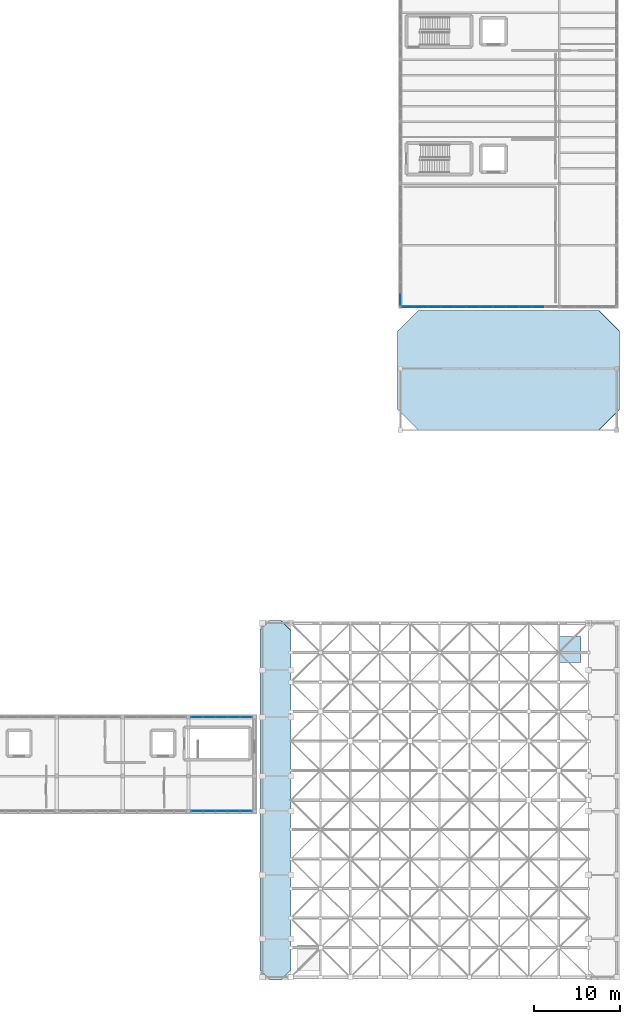
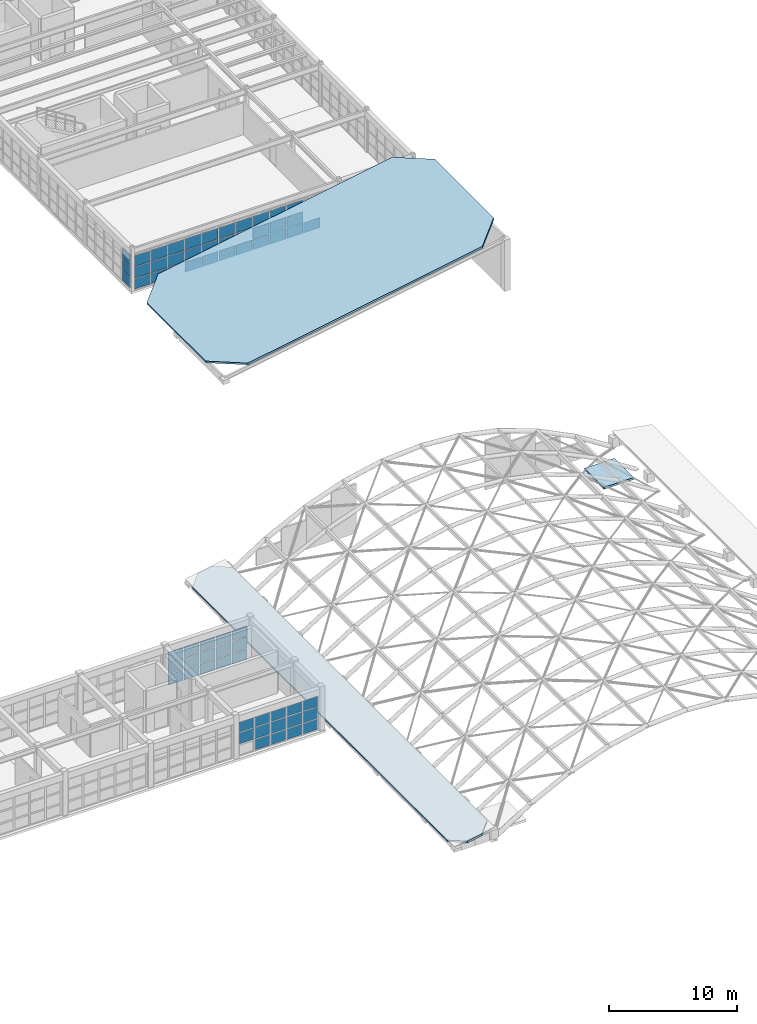
# One storey, part 38 of 52: 63 plates, 3 slabs, 4 elements without a shape of their own.
"""IFC4 building model written with IfcOpenShell, lengths in metres."""

from ifc_helpers import new_model, si_unit, direction, frame, origin, origin_2d, place, context, subcontext, project, spatial, polyline, rectangle, outline, extrude, material, layer, layer_set, type_object, element, aggregate, save


model = new_model("IFC4")

# Units and contexts
model_context = context("Model", 3, precision=1e-05, world=origin(), true_north=direction((0.0, 1.0)))
body_context = subcontext(model_context, "Body", "Model", "MODEL_VIEW")
ifc_project = project(units=[si_unit("LENGTHUNIT", "METRE"), si_unit("AREAUNIT", "SQUARE_METRE"), si_unit("VOLUMEUNIT", "CUBIC_METRE"), si_unit("PLANEANGLEUNIT", "RADIAN"), si_unit("MASSUNIT", "GRAM", prefix="KILO")], contexts=[model_context])

# Site, building, storey
site_placement = place(None, origin())
site = spatial("IfcSite", under=ifc_project, at=site_placement, CompositionType="ELEMENT")
building_placement = place(site_placement, origin())
building = spatial("IfcBuilding", under=site, at=building_placement, Name="Candilejo Ridge Gondola Terminal", CompositionType="ELEMENT")
storey_placement = place(building_placement, frame((0.0, 0.0, 18.60009765625)))
storey = spatial("IfcBuildingStorey", under=building, at=storey_placement, Name="L04", CompositionType="ELEMENT", Elevation=18.60009765625)

# Curtain wall, plates
ifc_material_1 = material(Name="Anodised aluminium AA 6063-T6", Category="aluminium")
ifc_layer_1 = layer(ifc_material_1, 0.169921875)
ifc_layer_set_1 = layer_set([ifc_layer_1], Name="ARC-CW-GALLERY-3200-720X329")
curtain_wall_type_1 = type_object("IfcCurtainWallType", Name="ARC-CW-GALLERY-3200-720X329", PredefinedType="NOTDEFINED", material=ifc_layer_set_1)
curtain_wall_1_placement = place(storey_placement, origin())
curtain_wall_1 = element("IfcCurtainWall", 1, at=curtain_wall_1_placement, inside=storey, type_object=curtain_wall_type_1, Name="Curtain wall V3 L04-108", PredefinedType="NOTDEFINED")
ifc_material_2 = material(Name="Low-E laminated double glazing 6+12A+6+1.52PVB+6 mm", Category="glass")
ifc_layer_2 = layer(ifc_material_2, 0.028076171875)
ifc_layer_set_2 = layer_set([ifc_layer_2], Name="ARC-CW-GLAZ-PANEL")
plate_type = type_object("IfcPlateType", Name="ARC-CW-GLAZ-PANEL", PredefinedType="CURTAIN_PANEL", material=ifc_layer_set_2)
plate_1_placement = place(storey_placement, frame((126.23876953125, 36.699951171875, 0.07470703125), z_axis=(0.0, 0.0, 1.0), x_axis=(1.0, 0.0, 0.0)))
plate_1 = element("IfcPlate", 2, at=plate_1_placement, type_object=plate_type, Name="CW-72X32 panel 1.1", PredefinedType="CURTAIN_PANEL", context=body_context, shape_type="SweptSolid", body=[
    extrude(rectangle(XDim=1.327392578125, YDim=0.028076171875, at=origin_2d()), origin(), (0.0, 0.0, 1.0), 0.987548828125),
])
plate_2_placement = place(storey_placement, frame((126.23876953125, 36.699951171875, 1.13720703125), z_axis=(0.0, 0.0, 1.0), x_axis=(1.0, 0.0, 0.0)))
plate_2 = element("IfcPlate", 3, at=plate_2_placement, type_object=plate_type, Name="CW-72X32 panel 1.2", PredefinedType="CURTAIN_PANEL", context=body_context, shape_type="SweptSolid", body=[
    extrude(rectangle(XDim=1.327392578125, YDim=0.028076171875, at=origin_2d()), origin(), (0.0, 0.0, 1.0), 1.074951171875),
])
plate_3_placement = place(storey_placement, frame((126.23876953125, 36.699951171875, 2.28759765625), z_axis=(0.0, 0.0, 1.0), x_axis=(1.0, 0.0, 0.0)))
plate_3 = element("IfcPlate", 4, at=plate_3_placement, type_object=plate_type, Name="CW-72X32 panel 1.3", PredefinedType="CURTAIN_PANEL", context=body_context, shape_type="SweptSolid", body=[
    extrude(rectangle(XDim=1.327392578125, YDim=0.028076171875, at=origin_2d()), origin(), (0.0, 0.0, 1.0), 0.927490234375),
])
plate_4_placement = place(storey_placement, frame((127.659912109375, 36.699951171875, 0.07470703125), z_axis=(0.0, 0.0, 1.0), x_axis=(1.0, 0.0, 0.0)))
plate_4 = element("IfcPlate", 5, at=plate_4_placement, type_object=plate_type, Name="CW-72X32 panel 2.1", PredefinedType="CURTAIN_PANEL", context=body_context, shape_type="SweptSolid", body=[
    extrude(rectangle(XDim=1.364990234375, YDim=0.028076171875, at=origin_2d()), origin(), (0.0, 0.0, 1.0), 0.987548828125),
])
plate_5_placement = place(storey_placement, frame((127.659912109375, 36.699951171875, 1.13720703125), z_axis=(0.0, 0.0, 1.0), x_axis=(1.0, 0.0, 0.0)))
plate_5 = element("IfcPlate", 6, at=plate_5_placement, type_object=plate_type, Name="CW-72X32 panel 2.2", PredefinedType="CURTAIN_PANEL", context=body_context, shape_type="SweptSolid", body=[
    extrude(rectangle(XDim=1.364990234375, YDim=0.028076171875, at=origin_2d()), origin(), (0.0, 0.0, 1.0), 1.074951171875),
])
plate_6_placement = place(storey_placement, frame((127.659912109375, 36.699951171875, 2.28759765625), z_axis=(0.0, 0.0, 1.0), x_axis=(1.0, 0.0, 0.0)))
plate_6 = element("IfcPlate", 7, at=plate_6_placement, type_object=plate_type, Name="CW-72X32 panel 2.3", PredefinedType="CURTAIN_PANEL", context=body_context, shape_type="SweptSolid", body=[
    extrude(rectangle(XDim=1.364990234375, YDim=0.028076171875, at=origin_2d()), origin(), (0.0, 0.0, 1.0), 0.927490234375),
])
plate_7_placement = place(storey_placement, frame((129.10009765625, 36.699951171875, 0.07470703125), z_axis=(0.0, 0.0, 1.0), x_axis=(1.0, 0.0, 0.0)))
plate_7 = element("IfcPlate", 8, at=plate_7_placement, type_object=plate_type, Name="CW-72X32 panel 3.1", PredefinedType="CURTAIN_PANEL", context=body_context, shape_type="SweptSolid", body=[
    extrude(rectangle(XDim=1.364990234375, YDim=0.028076171875, at=origin_2d()), origin(), (0.0, 0.0, 1.0), 0.987548828125),
])
plate_8_placement = place(storey_placement, frame((129.10009765625, 36.699951171875, 1.13720703125), z_axis=(0.0, 0.0, 1.0), x_axis=(1.0, 0.0, 0.0)))
plate_8 = element("IfcPlate", 9, at=plate_8_placement, type_object=plate_type, Name="CW-72X32 panel 3.2", PredefinedType="CURTAIN_PANEL", context=body_context, shape_type="SweptSolid", body=[
    extrude(rectangle(XDim=1.364990234375, YDim=0.028076171875, at=origin_2d()), origin(), (0.0, 0.0, 1.0), 1.074951171875),
])
plate_9_placement = place(storey_placement, frame((129.10009765625, 36.699951171875, 2.28759765625), z_axis=(0.0, 0.0, 1.0), x_axis=(1.0, 0.0, 0.0)))
plate_9 = element("IfcPlate", 10, at=plate_9_placement, type_object=plate_type, Name="CW-72X32 panel 3.3", PredefinedType="CURTAIN_PANEL", context=body_context, shape_type="SweptSolid", body=[
    extrude(rectangle(XDim=1.364990234375, YDim=0.028076171875, at=origin_2d()), origin(), (0.0, 0.0, 1.0), 0.927490234375),
])
plate_10_placement = place(storey_placement, frame((130.5400390625, 36.699951171875, 0.07470703125), z_axis=(0.0, 0.0, 1.0), x_axis=(1.0, 0.0, 0.0)))
plate_10 = element("IfcPlate", 11, at=plate_10_placement, type_object=plate_type, Name="CW-72X32 panel 4.1", PredefinedType="CURTAIN_PANEL", context=body_context, shape_type="SweptSolid", body=[
    extrude(rectangle(XDim=1.364990234375, YDim=0.028076171875, at=origin_2d()), origin(), (0.0, 0.0, 1.0), 0.987548828125),
])
plate_11_placement = place(storey_placement, frame((130.5400390625, 36.699951171875, 1.13720703125), z_axis=(0.0, 0.0, 1.0), x_axis=(1.0, 0.0, 0.0)))
plate_11 = element("IfcPlate", 12, at=plate_11_placement, type_object=plate_type, Name="CW-72X32 panel 4.2", PredefinedType="CURTAIN_PANEL", context=body_context, shape_type="SweptSolid", body=[
    extrude(rectangle(XDim=1.364990234375, YDim=0.028076171875, at=origin_2d()), origin(), (0.0, 0.0, 1.0), 1.074951171875),
])
plate_12_placement = place(storey_placement, frame((130.5400390625, 36.699951171875, 2.28759765625), z_axis=(0.0, 0.0, 1.0), x_axis=(1.0, 0.0, 0.0)))
plate_12 = element("IfcPlate", 13, at=plate_12_placement, type_object=plate_type, Name="CW-72X32 panel 4.3", PredefinedType="CURTAIN_PANEL", context=body_context, shape_type="SweptSolid", body=[
    extrude(rectangle(XDim=1.364990234375, YDim=0.028076171875, at=origin_2d()), origin(), (0.0, 0.0, 1.0), 0.927490234375),
])
plate_13_placement = place(storey_placement, frame((131.961181640625, 36.699951171875, 0.07470703125), z_axis=(0.0, 0.0, 1.0), x_axis=(1.0, 0.0, 0.0)))
plate_13 = element("IfcPlate", 14, at=plate_13_placement, type_object=plate_type, Name="CW-72X32 panel 5.1", PredefinedType="CURTAIN_PANEL", context=body_context, shape_type="SweptSolid", body=[
    extrude(rectangle(XDim=1.327392578125, YDim=0.028076171875, at=origin_2d()), origin(), (0.0, 0.0, 1.0), 0.987548828125),
])
plate_14_placement = place(storey_placement, frame((131.961181640625, 36.699951171875, 1.13720703125), z_axis=(0.0, 0.0, 1.0), x_axis=(1.0, 0.0, 0.0)))
plate_14 = element("IfcPlate", 15, at=plate_14_placement, type_object=plate_type, Name="CW-72X32 panel 5.2", PredefinedType="CURTAIN_PANEL", context=body_context, shape_type="SweptSolid", body=[
    extrude(rectangle(XDim=1.327392578125, YDim=0.028076171875, at=origin_2d()), origin(), (0.0, 0.0, 1.0), 1.074951171875),
])
plate_15_placement = place(storey_placement, frame((131.961181640625, 36.699951171875, 2.28759765625), z_axis=(0.0, 0.0, 1.0), x_axis=(1.0, 0.0, 0.0)))
plate_15 = element("IfcPlate", 16, at=plate_15_placement, type_object=plate_type, Name="CW-72X32 panel 5.3", PredefinedType="CURTAIN_PANEL", context=body_context, shape_type="SweptSolid", body=[
    extrude(rectangle(XDim=1.327392578125, YDim=0.028076171875, at=origin_2d()), origin(), (0.0, 0.0, 1.0), 0.927490234375),
])
aggregate(curtain_wall_1, [plate_1, plate_2, plate_3, plate_4, plate_5, plate_6, plate_7, plate_8, plate_9, plate_10, plate_11, plate_12, plate_13, plate_14, plate_15])

curtain_wall_2_placement = place(storey_placement, origin())
curtain_wall_2 = element("IfcCurtainWall", 17, at=curtain_wall_2_placement, inside=storey, type_object=curtain_wall_type_1, Name="Curtain wall V3 L04-109", PredefinedType="NOTDEFINED")
plate_16_placement = place(storey_placement, frame((126.23876953125, 25.699951171875, 1.13720703125), z_axis=(0.0, 0.0, 1.0), x_axis=(1.0, 0.0, 0.0)))
plate_16 = element("IfcPlate", 18, at=plate_16_placement, type_object=plate_type, Name="CW-72X32 panel 1.2", PredefinedType="CURTAIN_PANEL", context=body_context, shape_type="SweptSolid", body=[
    extrude(rectangle(XDim=1.327392578125, YDim=0.028076171875, at=origin_2d()), origin(), (0.0, 0.0, 1.0), 1.074951171875),
])
plate_17_placement = place(storey_placement, frame((126.23876953125, 25.699951171875, 2.28759765625), z_axis=(0.0, 0.0, 1.0), x_axis=(1.0, 0.0, 0.0)))
plate_17 = element("IfcPlate", 19, at=plate_17_placement, type_object=plate_type, Name="CW-72X32 panel 1.3", PredefinedType="CURTAIN_PANEL", context=body_context, shape_type="SweptSolid", body=[
    extrude(rectangle(XDim=1.327392578125, YDim=0.028076171875, at=origin_2d()), origin(), (0.0, 0.0, 1.0), 0.927490234375),
])
plate_18_placement = place(storey_placement, frame((127.659912109375, 25.699951171875, 0.07470703125), z_axis=(0.0, 0.0, 1.0), x_axis=(1.0, 0.0, 0.0)))
plate_18 = element("IfcPlate", 20, at=plate_18_placement, type_object=plate_type, Name="CW-72X32 panel 2.1", PredefinedType="CURTAIN_PANEL", context=body_context, shape_type="SweptSolid", body=[
    extrude(rectangle(XDim=1.364990234375, YDim=0.028076171875, at=origin_2d()), origin(), (0.0, 0.0, 1.0), 0.987548828125),
])
plate_19_placement = place(storey_placement, frame((127.659912109375, 25.699951171875, 1.13720703125), z_axis=(0.0, 0.0, 1.0), x_axis=(1.0, 0.0, 0.0)))
plate_19 = element("IfcPlate", 21, at=plate_19_placement, type_object=plate_type, Name="CW-72X32 panel 2.2", PredefinedType="CURTAIN_PANEL", context=body_context, shape_type="SweptSolid", body=[
    extrude(rectangle(XDim=1.364990234375, YDim=0.028076171875, at=origin_2d()), origin(), (0.0, 0.0, 1.0), 1.074951171875),
])
plate_20_placement = place(storey_placement, frame((127.659912109375, 25.699951171875, 2.28759765625), z_axis=(0.0, 0.0, 1.0), x_axis=(1.0, 0.0, 0.0)))
plate_20 = element("IfcPlate", 22, at=plate_20_placement, type_object=plate_type, Name="CW-72X32 panel 2.3", PredefinedType="CURTAIN_PANEL", context=body_context, shape_type="SweptSolid", body=[
    extrude(rectangle(XDim=1.364990234375, YDim=0.028076171875, at=origin_2d()), origin(), (0.0, 0.0, 1.0), 0.927490234375),
])
plate_21_placement = place(storey_placement, frame((129.10009765625, 25.699951171875, 0.07470703125), z_axis=(0.0, 0.0, 1.0), x_axis=(1.0, 0.0, 0.0)))
plate_21 = element("IfcPlate", 23, at=plate_21_placement, type_object=plate_type, Name="CW-72X32 panel 3.1", PredefinedType="CURTAIN_PANEL", context=body_context, shape_type="SweptSolid", body=[
    extrude(rectangle(XDim=1.364990234375, YDim=0.028076171875, at=origin_2d()), origin(), (0.0, 0.0, 1.0), 0.987548828125),
])
plate_22_placement = place(storey_placement, frame((129.10009765625, 25.699951171875, 1.13720703125), z_axis=(0.0, 0.0, 1.0), x_axis=(1.0, 0.0, 0.0)))
plate_22 = element("IfcPlate", 24, at=plate_22_placement, type_object=plate_type, Name="CW-72X32 panel 3.2", PredefinedType="CURTAIN_PANEL", context=body_context, shape_type="SweptSolid", body=[
    extrude(rectangle(XDim=1.364990234375, YDim=0.028076171875, at=origin_2d()), origin(), (0.0, 0.0, 1.0), 1.074951171875),
])
plate_23_placement = place(storey_placement, frame((129.10009765625, 25.699951171875, 2.28759765625), z_axis=(0.0, 0.0, 1.0), x_axis=(1.0, 0.0, 0.0)))
plate_23 = element("IfcPlate", 25, at=plate_23_placement, type_object=plate_type, Name="CW-72X32 panel 3.3", PredefinedType="CURTAIN_PANEL", context=body_context, shape_type="SweptSolid", body=[
    extrude(rectangle(XDim=1.364990234375, YDim=0.028076171875, at=origin_2d()), origin(), (0.0, 0.0, 1.0), 0.927490234375),
])
plate_24_placement = place(storey_placement, frame((130.5400390625, 25.699951171875, 0.07470703125), z_axis=(0.0, 0.0, 1.0), x_axis=(1.0, 0.0, 0.0)))
plate_24 = element("IfcPlate", 26, at=plate_24_placement, type_object=plate_type, Name="CW-72X32 panel 4.1", PredefinedType="CURTAIN_PANEL", context=body_context, shape_type="SweptSolid", body=[
    extrude(rectangle(XDim=1.364990234375, YDim=0.028076171875, at=origin_2d()), origin(), (0.0, 0.0, 1.0), 0.987548828125),
])
plate_25_placement = place(storey_placement, frame((130.5400390625, 25.699951171875, 1.13720703125), z_axis=(0.0, 0.0, 1.0), x_axis=(1.0, 0.0, 0.0)))
plate_25 = element("IfcPlate", 27, at=plate_25_placement, type_object=plate_type, Name="CW-72X32 panel 4.2", PredefinedType="CURTAIN_PANEL", context=body_context, shape_type="SweptSolid", body=[
    extrude(rectangle(XDim=1.364990234375, YDim=0.028076171875, at=origin_2d()), origin(), (0.0, 0.0, 1.0), 1.074951171875),
])
plate_26_placement = place(storey_placement, frame((130.5400390625, 25.699951171875, 2.28759765625), z_axis=(0.0, 0.0, 1.0), x_axis=(1.0, 0.0, 0.0)))
plate_26 = element("IfcPlate", 28, at=plate_26_placement, type_object=plate_type, Name="CW-72X32 panel 4.3", PredefinedType="CURTAIN_PANEL", context=body_context, shape_type="SweptSolid", body=[
    extrude(rectangle(XDim=1.364990234375, YDim=0.028076171875, at=origin_2d()), origin(), (0.0, 0.0, 1.0), 0.927490234375),
])
plate_27_placement = place(storey_placement, frame((131.961181640625, 25.699951171875, 0.07470703125), z_axis=(0.0, 0.0, 1.0), x_axis=(1.0, 0.0, 0.0)))
plate_27 = element("IfcPlate", 29, at=plate_27_placement, type_object=plate_type, Name="CW-72X32 panel 5.1", PredefinedType="CURTAIN_PANEL", context=body_context, shape_type="SweptSolid", body=[
    extrude(rectangle(XDim=1.327392578125, YDim=0.028076171875, at=origin_2d()), origin(), (0.0, 0.0, 1.0), 0.987548828125),
])
plate_28_placement = place(storey_placement, frame((131.961181640625, 25.699951171875, 1.13720703125), z_axis=(0.0, 0.0, 1.0), x_axis=(1.0, 0.0, 0.0)))
plate_28 = element("IfcPlate", 30, at=plate_28_placement, type_object=plate_type, Name="CW-72X32 panel 5.2", PredefinedType="CURTAIN_PANEL", context=body_context, shape_type="SweptSolid", body=[
    extrude(rectangle(XDim=1.327392578125, YDim=0.028076171875, at=origin_2d()), origin(), (0.0, 0.0, 1.0), 1.074951171875),
])
plate_29_placement = place(storey_placement, frame((131.961181640625, 25.699951171875, 2.28759765625), z_axis=(0.0, 0.0, 1.0), x_axis=(1.0, 0.0, 0.0)))
plate_29 = element("IfcPlate", 31, at=plate_29_placement, type_object=plate_type, Name="CW-72X32 panel 5.3", PredefinedType="CURTAIN_PANEL", context=body_context, shape_type="SweptSolid", body=[
    extrude(rectangle(XDim=1.327392578125, YDim=0.028076171875, at=origin_2d()), origin(), (0.0, 0.0, 1.0), 0.927490234375),
])
aggregate(curtain_wall_2, [plate_16, plate_17, plate_18, plate_19, plate_20, plate_21, plate_22, plate_23, plate_24, plate_25, plate_26, plate_27, plate_28, plate_29])

ifc_material_3 = material(Name="Anodised aluminium AA 6063-T6", Category="aluminium")
ifc_layer_3 = layer(ifc_material_3, 0.169921875)
ifc_layer_set_3 = layer_set([ifc_layer_3], Name="ARC-CW-TOWER-3000-690X329")
curtain_wall_type_2 = type_object("IfcCurtainWallType", Name="ARC-CW-TOWER-3000-690X329", PredefinedType="NOTDEFINED", material=ifc_layer_set_3)
curtain_wall_3_placement = place(storey_placement, origin())
curtain_wall_3 = element("IfcCurtainWall", 32, at=curtain_wall_3_placement, inside=storey, type_object=curtain_wall_type_2, Name="Curtain wall V5 L04-212", PredefinedType="NOTDEFINED")
plate_30_placement = place(storey_placement, frame((150.0, 85.50634765625, 0.059814453125), z_axis=(0.0, 0.0, 1.0), x_axis=(0.0, 1.0, 0.0)))
plate_30 = element("IfcPlate", 33, at=plate_30_placement, type_object=plate_type, Name="CW-69X32 panel 1.1", PredefinedType="CURTAIN_PANEL", context=body_context, shape_type="SweptSolid", body=[
    extrude(rectangle(XDim=1.282470703125, YDim=0.028076171875, at=origin_2d()), origin(), (0.0, 0.0, 1.0), 0.9599609375),
])
plate_31_placement = place(storey_placement, frame((150.0, 85.50634765625, 1.079833984375), z_axis=(0.0, 0.0, 1.0), x_axis=(0.0, 1.0, 0.0)))
plate_31 = element("IfcPlate", 34, at=plate_31_placement, type_object=plate_type, Name="CW-69X32 panel 1.2", PredefinedType="CURTAIN_PANEL", context=body_context, shape_type="SweptSolid", body=[
    extrude(rectangle(XDim=1.282470703125, YDim=0.028076171875, at=origin_2d()), origin(), (0.0, 0.0, 1.0), 1.0400390625),
])
plate_32_placement = place(storey_placement, frame((150.0, 85.50634765625, 2.1796875), z_axis=(0.0, 0.0, 1.0), x_axis=(0.0, 1.0, 0.0)))
plate_32 = element("IfcPlate", 35, at=plate_32_placement, type_object=plate_type, Name="CW-69X32 panel 1.3", PredefinedType="CURTAIN_PANEL", context=body_context, shape_type="SweptSolid", body=[
    extrude(rectangle(XDim=1.282470703125, YDim=0.028076171875, at=origin_2d()), origin(), (0.0, 0.0, 1.0), 1.050048828125),
])
aggregate(curtain_wall_3, [plate_30, plate_31, plate_32])

ifc_material_4 = material(Name="Anodised aluminium AA 6063-T6", Category="aluminium")
ifc_layer_4 = layer(ifc_material_4, 0.169921875)
ifc_layer_set_4 = layer_set([ifc_layer_4], Name="ARC-CW-TOWER-3000-1830X329")
curtain_wall_type_3 = type_object("IfcCurtainWallType", Name="ARC-CW-TOWER-3000-1830X329", PredefinedType="NOTDEFINED", material=ifc_layer_set_4)
curtain_wall_4_placement = place(storey_placement, origin())
curtain_wall_4 = element("IfcCurtainWall", 36, at=curtain_wall_4_placement, inside=storey, type_object=curtain_wall_type_3, Name="Curtain wall V5 L04-222", PredefinedType="NOTDEFINED")
plate_33_placement = place(storey_placement, frame((150.9287109375, 84.64990234375, 0.059814453125), z_axis=(0.0, 0.0, 1.0), x_axis=(1.0, 0.0, 0.0)))
plate_33 = element("IfcPlate", 37, at=plate_33_placement, type_object=plate_type, Name="CW-183X32 panel 1.1", PredefinedType="CURTAIN_PANEL", context=body_context, shape_type="SweptSolid", body=[
    extrude(rectangle(XDim=1.427490234375, YDim=0.028076171875, at=origin_2d()), origin(), (0.0, 0.0, 1.0), 0.9599609375),
])
plate_34_placement = place(storey_placement, frame((150.9287109375, 84.64990234375, 1.079833984375), z_axis=(0.0, 0.0, 1.0), x_axis=(1.0, 0.0, 0.0)))
plate_34 = element("IfcPlate", 38, at=plate_34_placement, type_object=plate_type, Name="CW-183X32 panel 1.2", PredefinedType="CURTAIN_PANEL", context=body_context, shape_type="SweptSolid", body=[
    extrude(rectangle(XDim=1.427490234375, YDim=0.028076171875, at=origin_2d()), origin(), (0.0, 0.0, 1.0), 1.0400390625),
])
plate_35_placement = place(storey_placement, frame((150.9287109375, 84.64990234375, 2.1796875), z_axis=(0.0, 0.0, 1.0), x_axis=(1.0, 0.0, 0.0)))
plate_35 = element("IfcPlate", 39, at=plate_35_placement, type_object=plate_type, Name="CW-183X32 panel 1.3", PredefinedType="CURTAIN_PANEL", context=body_context, shape_type="SweptSolid", body=[
    extrude(rectangle(XDim=1.427490234375, YDim=0.028076171875, at=origin_2d()), origin(), (0.0, 0.0, 1.0), 1.050048828125),
])
plate_36_placement = place(storey_placement, frame((152.4375, 84.64990234375, 0.059814453125), z_axis=(0.0, 0.0, 1.0), x_axis=(1.0, 0.0, 0.0)))
plate_36 = element("IfcPlate", 40, at=plate_36_placement, type_object=plate_type, Name="CW-183X32 panel 2.1", PredefinedType="CURTAIN_PANEL", context=body_context, shape_type="SweptSolid", body=[
    extrude(rectangle(XDim=1.4599609375, YDim=0.028076171875, at=origin_2d()), origin(), (0.0, 0.0, 1.0), 0.9599609375),
])
plate_37_placement = place(storey_placement, frame((152.4375, 84.64990234375, 1.079833984375), z_axis=(0.0, 0.0, 1.0), x_axis=(1.0, 0.0, 0.0)))
plate_37 = element("IfcPlate", 41, at=plate_37_placement, type_object=plate_type, Name="CW-183X32 panel 2.2", PredefinedType="CURTAIN_PANEL", context=body_context, shape_type="SweptSolid", body=[
    extrude(rectangle(XDim=1.4599609375, YDim=0.028076171875, at=origin_2d()), origin(), (0.0, 0.0, 1.0), 1.0400390625),
])
plate_38_placement = place(storey_placement, frame((152.4375, 84.64990234375, 2.1796875), z_axis=(0.0, 0.0, 1.0), x_axis=(1.0, 0.0, 0.0)))
plate_38 = element("IfcPlate", 42, at=plate_38_placement, type_object=plate_type, Name="CW-183X32 panel 2.3", PredefinedType="CURTAIN_PANEL", context=body_context, shape_type="SweptSolid", body=[
    extrude(rectangle(XDim=1.4599609375, YDim=0.028076171875, at=origin_2d()), origin(), (0.0, 0.0, 1.0), 1.050048828125),
])
plate_39_placement = place(storey_placement, frame((153.96240234375, 84.64990234375, 0.059814453125), z_axis=(0.0, 0.0, 1.0), x_axis=(1.0, 0.0, 0.0)))
plate_39 = element("IfcPlate", 43, at=plate_39_placement, type_object=plate_type, Name="CW-183X32 panel 3.1", PredefinedType="CURTAIN_PANEL", context=body_context, shape_type="SweptSolid", body=[
    extrude(rectangle(XDim=1.4599609375, YDim=0.028076171875, at=origin_2d()), origin(), (0.0, 0.0, 1.0), 0.9599609375),
])
plate_40_placement = place(storey_placement, frame((153.96240234375, 84.64990234375, 1.079833984375), z_axis=(0.0, 0.0, 1.0), x_axis=(1.0, 0.0, 0.0)))
plate_40 = element("IfcPlate", 44, at=plate_40_placement, type_object=plate_type, Name="CW-183X32 panel 3.2", PredefinedType="CURTAIN_PANEL", context=body_context, shape_type="SweptSolid", body=[
    extrude(rectangle(XDim=1.4599609375, YDim=0.028076171875, at=origin_2d()), origin(), (0.0, 0.0, 1.0), 1.0400390625),
])
plate_41_placement = place(storey_placement, frame((153.96240234375, 84.64990234375, 2.1796875), z_axis=(0.0, 0.0, 1.0), x_axis=(1.0, 0.0, 0.0)))
plate_41 = element("IfcPlate", 45, at=plate_41_placement, type_object=plate_type, Name="CW-183X32 panel 3.3", PredefinedType="CURTAIN_PANEL", context=body_context, shape_type="SweptSolid", body=[
    extrude(rectangle(XDim=1.4599609375, YDim=0.028076171875, at=origin_2d()), origin(), (0.0, 0.0, 1.0), 1.050048828125),
])
plate_42_placement = place(storey_placement, frame((155.487548828125, 84.64990234375, 0.059814453125), z_axis=(0.0, 0.0, 1.0), x_axis=(1.0, 0.0, 0.0)))
plate_42 = element("IfcPlate", 46, at=plate_42_placement, type_object=plate_type, Name="CW-183X32 panel 4.1", PredefinedType="CURTAIN_PANEL", context=body_context, shape_type="SweptSolid", body=[
    extrude(rectangle(XDim=1.4599609375, YDim=0.028076171875, at=origin_2d()), origin(), (0.0, 0.0, 1.0), 0.9599609375),
])
plate_43_placement = place(storey_placement, frame((155.487548828125, 84.64990234375, 1.079833984375), z_axis=(0.0, 0.0, 1.0), x_axis=(1.0, 0.0, 0.0)))
plate_43 = element("IfcPlate", 47, at=plate_43_placement, type_object=plate_type, Name="CW-183X32 panel 4.2", PredefinedType="CURTAIN_PANEL", context=body_context, shape_type="SweptSolid", body=[
    extrude(rectangle(XDim=1.4599609375, YDim=0.028076171875, at=origin_2d()), origin(), (0.0, 0.0, 1.0), 1.0400390625),
])
plate_44_placement = place(storey_placement, frame((155.487548828125, 84.64990234375, 2.1796875), z_axis=(0.0, 0.0, 1.0), x_axis=(1.0, 0.0, 0.0)))
plate_44 = element("IfcPlate", 48, at=plate_44_placement, type_object=plate_type, Name="CW-183X32 panel 4.3", PredefinedType="CURTAIN_PANEL", context=body_context, shape_type="SweptSolid", body=[
    extrude(rectangle(XDim=1.4599609375, YDim=0.028076171875, at=origin_2d()), origin(), (0.0, 0.0, 1.0), 1.050048828125),
])
plate_45_placement = place(storey_placement, frame((157.012451171875, 84.64990234375, 0.059814453125), z_axis=(0.0, 0.0, 1.0), x_axis=(1.0, 0.0, 0.0)))
plate_45 = element("IfcPlate", 49, at=plate_45_placement, type_object=plate_type, Name="CW-183X32 panel 5.1", PredefinedType="CURTAIN_PANEL", context=body_context, shape_type="SweptSolid", body=[
    extrude(rectangle(XDim=1.4599609375, YDim=0.028076171875, at=origin_2d()), origin(), (0.0, 0.0, 1.0), 0.9599609375),
])
plate_46_placement = place(storey_placement, frame((157.012451171875, 84.64990234375, 1.079833984375), z_axis=(0.0, 0.0, 1.0), x_axis=(1.0, 0.0, 0.0)))
plate_46 = element("IfcPlate", 50, at=plate_46_placement, type_object=plate_type, Name="CW-183X32 panel 5.2", PredefinedType="CURTAIN_PANEL", context=body_context, shape_type="SweptSolid", body=[
    extrude(rectangle(XDim=1.4599609375, YDim=0.028076171875, at=origin_2d()), origin(), (0.0, 0.0, 1.0), 1.0400390625),
])
plate_47_placement = place(storey_placement, frame((157.012451171875, 84.64990234375, 2.1796875), z_axis=(0.0, 0.0, 1.0), x_axis=(1.0, 0.0, 0.0)))
plate_47 = element("IfcPlate", 51, at=plate_47_placement, type_object=plate_type, Name="CW-183X32 panel 5.3", PredefinedType="CURTAIN_PANEL", context=body_context, shape_type="SweptSolid", body=[
    extrude(rectangle(XDim=1.4599609375, YDim=0.028076171875, at=origin_2d()), origin(), (0.0, 0.0, 1.0), 1.050048828125),
])
plate_48_placement = place(storey_placement, frame((158.53759765625, 84.64990234375, 0.059814453125), z_axis=(0.0, 0.0, 1.0), x_axis=(1.0, 0.0, 0.0)))
plate_48 = element("IfcPlate", 52, at=plate_48_placement, type_object=plate_type, Name="CW-183X32 panel 6.1", PredefinedType="CURTAIN_PANEL", context=body_context, shape_type="SweptSolid", body=[
    extrude(rectangle(XDim=1.4599609375, YDim=0.028076171875, at=origin_2d()), origin(), (0.0, 0.0, 1.0), 0.9599609375),
])
plate_49_placement = place(storey_placement, frame((158.53759765625, 84.64990234375, 1.079833984375), z_axis=(0.0, 0.0, 1.0), x_axis=(1.0, 0.0, 0.0)))
plate_49 = element("IfcPlate", 53, at=plate_49_placement, type_object=plate_type, Name="CW-183X32 panel 6.2", PredefinedType="CURTAIN_PANEL", context=body_context, shape_type="SweptSolid", body=[
    extrude(rectangle(XDim=1.4599609375, YDim=0.028076171875, at=origin_2d()), origin(), (0.0, 0.0, 1.0), 1.0400390625),
])
plate_50_placement = place(storey_placement, frame((158.53759765625, 84.64990234375, 2.1796875), z_axis=(0.0, 0.0, 1.0), x_axis=(1.0, 0.0, 0.0)))
plate_50 = element("IfcPlate", 54, at=plate_50_placement, type_object=plate_type, Name="CW-183X32 panel 6.3", PredefinedType="CURTAIN_PANEL", context=body_context, shape_type="SweptSolid", body=[
    extrude(rectangle(XDim=1.4599609375, YDim=0.028076171875, at=origin_2d()), origin(), (0.0, 0.0, 1.0), 1.050048828125),
])
plate_51_placement = place(storey_placement, frame((160.0625, 84.64990234375, 0.059814453125), z_axis=(0.0, 0.0, 1.0), x_axis=(1.0, 0.0, 0.0)))
plate_51 = element("IfcPlate", 55, at=plate_51_placement, type_object=plate_type, Name="CW-183X32 panel 7.1", PredefinedType="CURTAIN_PANEL", context=body_context, shape_type="SweptSolid", body=[
    extrude(rectangle(XDim=1.4599609375, YDim=0.028076171875, at=origin_2d()), origin(), (0.0, 0.0, 1.0), 0.9599609375),
])
plate_52_placement = place(storey_placement, frame((160.0625, 84.64990234375, 1.079833984375), z_axis=(0.0, 0.0, 1.0), x_axis=(1.0, 0.0, 0.0)))
plate_52 = element("IfcPlate", 56, at=plate_52_placement, type_object=plate_type, Name="CW-183X32 panel 7.2", PredefinedType="CURTAIN_PANEL", context=body_context, shape_type="SweptSolid", body=[
    extrude(rectangle(XDim=1.4599609375, YDim=0.028076171875, at=origin_2d()), origin(), (0.0, 0.0, 1.0), 1.0400390625),
])
plate_53_placement = place(storey_placement, frame((160.0625, 84.64990234375, 2.1796875), z_axis=(0.0, 0.0, 1.0), x_axis=(1.0, 0.0, 0.0)))
plate_53 = element("IfcPlate", 57, at=plate_53_placement, type_object=plate_type, Name="CW-183X32 panel 7.3", PredefinedType="CURTAIN_PANEL", context=body_context, shape_type="SweptSolid", body=[
    extrude(rectangle(XDim=1.4599609375, YDim=0.028076171875, at=origin_2d()), origin(), (0.0, 0.0, 1.0), 1.050048828125),
])
plate_54_placement = place(storey_placement, frame((161.58740234375, 84.64990234375, 0.059814453125), z_axis=(0.0, 0.0, 1.0), x_axis=(1.0, 0.0, 0.0)))
plate_54 = element("IfcPlate", 58, at=plate_54_placement, type_object=plate_type, Name="CW-183X32 panel 8.1", PredefinedType="CURTAIN_PANEL", context=body_context, shape_type="SweptSolid", body=[
    extrude(rectangle(XDim=1.4599609375, YDim=0.028076171875, at=origin_2d()), origin(), (0.0, 0.0, 1.0), 0.9599609375),
])
plate_55_placement = place(storey_placement, frame((161.58740234375, 84.64990234375, 1.079833984375), z_axis=(0.0, 0.0, 1.0), x_axis=(1.0, 0.0, 0.0)))
plate_55 = element("IfcPlate", 59, at=plate_55_placement, type_object=plate_type, Name="CW-183X32 panel 8.2", PredefinedType="CURTAIN_PANEL", context=body_context, shape_type="SweptSolid", body=[
    extrude(rectangle(XDim=1.4599609375, YDim=0.028076171875, at=origin_2d()), origin(), (0.0, 0.0, 1.0), 1.0400390625),
])
plate_56_placement = place(storey_placement, frame((161.58740234375, 84.64990234375, 2.1796875), z_axis=(0.0, 0.0, 1.0), x_axis=(1.0, 0.0, 0.0)))
plate_56 = element("IfcPlate", 60, at=plate_56_placement, type_object=plate_type, Name="CW-183X32 panel 8.3", PredefinedType="CURTAIN_PANEL", context=body_context, shape_type="SweptSolid", body=[
    extrude(rectangle(XDim=1.4599609375, YDim=0.028076171875, at=origin_2d()), origin(), (0.0, 0.0, 1.0), 1.050048828125),
])
plate_57_placement = place(storey_placement, frame((163.112548828125, 84.64990234375, 0.059814453125), z_axis=(0.0, 0.0, 1.0), x_axis=(1.0, 0.0, 0.0)))
plate_57 = element("IfcPlate", 61, at=plate_57_placement, type_object=plate_type, Name="CW-183X32 panel 9.1", PredefinedType="CURTAIN_PANEL", context=body_context, shape_type="SweptSolid", body=[
    extrude(rectangle(XDim=1.4599609375, YDim=0.028076171875, at=origin_2d()), origin(), (0.0, 0.0, 1.0), 0.9599609375),
])
plate_58_placement = place(storey_placement, frame((163.112548828125, 84.64990234375, 1.079833984375), z_axis=(0.0, 0.0, 1.0), x_axis=(1.0, 0.0, 0.0)))
plate_58 = element("IfcPlate", 62, at=plate_58_placement, type_object=plate_type, Name="CW-183X32 panel 9.2", PredefinedType="CURTAIN_PANEL", context=body_context, shape_type="SweptSolid", body=[
    extrude(rectangle(XDim=1.4599609375, YDim=0.028076171875, at=origin_2d()), origin(), (0.0, 0.0, 1.0), 1.0400390625),
])
plate_59_placement = place(storey_placement, frame((163.112548828125, 84.64990234375, 2.1796875), z_axis=(0.0, 0.0, 1.0), x_axis=(1.0, 0.0, 0.0)))
plate_59 = element("IfcPlate", 63, at=plate_59_placement, type_object=plate_type, Name="CW-183X32 panel 9.3", PredefinedType="CURTAIN_PANEL", context=body_context, shape_type="SweptSolid", body=[
    extrude(rectangle(XDim=1.4599609375, YDim=0.028076171875, at=origin_2d()), origin(), (0.0, 0.0, 1.0), 1.050048828125),
])
plate_60_placement = place(storey_placement, frame((164.637451171875, 84.64990234375, 0.059814453125), z_axis=(0.0, 0.0, 1.0), x_axis=(1.0, 0.0, 0.0)))
plate_60 = element("IfcPlate", 64, at=plate_60_placement, type_object=plate_type, Name="CW-183X32 panel 10.1", PredefinedType="CURTAIN_PANEL", context=body_context, shape_type="SweptSolid", body=[
    extrude(rectangle(XDim=1.4599609375, YDim=0.028076171875, at=origin_2d()), origin(), (0.0, 0.0, 1.0), 0.9599609375),
])
plate_61_placement = place(storey_placement, frame((164.637451171875, 84.64990234375, 1.079833984375), z_axis=(0.0, 0.0, 1.0), x_axis=(1.0, 0.0, 0.0)))
plate_61 = element("IfcPlate", 65, at=plate_61_placement, type_object=plate_type, Name="CW-183X32 panel 10.2", PredefinedType="CURTAIN_PANEL", context=body_context, shape_type="SweptSolid", body=[
    extrude(rectangle(XDim=1.4599609375, YDim=0.028076171875, at=origin_2d()), origin(), (0.0, 0.0, 1.0), 1.0400390625),
])
plate_62_placement = place(storey_placement, frame((164.637451171875, 84.64990234375, 2.1796875), z_axis=(0.0, 0.0, 1.0), x_axis=(1.0, 0.0, 0.0)))
plate_62 = element("IfcPlate", 66, at=plate_62_placement, type_object=plate_type, Name="CW-183X32 panel 10.3", PredefinedType="CURTAIN_PANEL", context=body_context, shape_type="SweptSolid", body=[
    extrude(rectangle(XDim=1.4599609375, YDim=0.028076171875, at=origin_2d()), origin(), (0.0, 0.0, 1.0), 1.050048828125),
])
plate_63_placement = place(storey_placement, frame((166.16259765625, 84.64990234375, 0.059814453125), z_axis=(0.0, 0.0, 1.0), x_axis=(1.0, 0.0, 0.0)))
plate_63 = element("IfcPlate", 67, at=plate_63_placement, type_object=plate_type, Name="CW-183X32 panel 11.1", PredefinedType="CURTAIN_PANEL", context=body_context, shape_type="SweptSolid", body=[
    extrude(rectangle(XDim=1.4599609375, YDim=0.028076171875, at=origin_2d()), origin(), (0.0, 0.0, 1.0), 0.9599609375),
])
aggregate(curtain_wall_4, [plate_33, plate_34, plate_35, plate_36, plate_37, plate_38, plate_39, plate_40, plate_41, plate_42, plate_43, plate_44, plate_45, plate_46, plate_47, plate_48, plate_49, plate_50, plate_51, plate_52, plate_53, plate_54, plate_55, plate_56, plate_57, plate_58, plate_59, plate_60, plate_61, plate_62, plate_63])

# Slabs
ifc_material_5 = material(Name="Concrete f'c 35 MPa (C35/45)", Category="concrete")
ifc_layer_5 = layer(ifc_material_5, 0.179931640625)
ifc_layer_set_5 = layer_set([ifc_layer_5], Name="STR-ROOF-SLAB-180")
slab_type_1 = type_object("IfcSlabType", Name="STR-ROOF-SLAB-180", PredefinedType="ROOF", material=ifc_layer_set_5)
slab_1_placement = place(storey_placement, frame((134.751953125, 6.0, 0.653076171875), z_axis=(-0.173651722867, 0.0, 0.984807127891), x_axis=(0.984807127891, 0.0, 0.173651722867)))
element("IfcSlab", 68, at=slab_1_placement, inside=storey, type_object=slab_type_1, Name="Sloped standing-seam roof deck RF-V4-WEST", PredefinedType="ROOF", context=body_context, shape_type="SweptSolid", body=[
    extrude(outline(polyline([(0.0, 0.0), (1.3161325816840614, 0.0), (2.4857610638168848, 1.152099609375), (2.4857610638168848, 40.847900390625), (1.3161325816840614, 42.0), (0.0, 42.0), (-1.1696284821328236, 40.847900390625), (-1.1696284821328236, 1.152099609375), (0.0, 0.0)])), origin(), (0.0, 0.0, -1.0), 0.179931640625),
])
slab_2_placement = place(storey_placement, frame((152.108642578125, 70.25, 1.07470703125), z_axis=(-0.173647028164, 0.0, 0.9848079557), x_axis=(0.9848079557, 0.0, 0.173647028164)))
element("IfcSlab", 69, at=slab_2_placement, inside=storey, type_object=slab_type_1, Name="Sloped standing-seam roof deck RF-V5-MID1", PredefinedType="ROOF", context=body_context, shape_type="SweptSolid", body=[
    extrude(outline(polyline([(0.0, 0.0), (21.407968912424245, 0.0), (23.85383344365973, 2.4086914062500004), (23.85383344365973, 11.591308593750002), (21.407968912424245, 14.000000000000004), (0.0, 14.000000000000004), (-2.4458645312354856, 11.591308593750002), (-2.4458645312354856, 2.4086914062500004), (0.0, 0.0)])), origin(), (0.0, 0.0, -1.0), 0.179931640625),
])
ifc_material_6 = material(Name="Concrete f'c 35 MPa (C35/45)", Category="concrete")
ifc_layer_6 = layer(ifc_material_6, 0.195068359375)
ifc_layer_set_6 = layer_set([ifc_layer_6], Name="STR-ROOF-SLAB-195")
slab_type_2 = type_object("IfcSlabType", Name="STR-ROOF-SLAB-195", PredefinedType="ROOF", material=ifc_layer_set_6)
slab_3_placement = place(storey_placement, frame((0.0, 0.0, -0.195068359375)))
element("IfcSlab", 70, at=slab_3_placement, inside=storey, type_object=slab_type_2, Name="Lift shaft roof slab C-V4B", PredefinedType="ROOF", context=body_context, shape_type="SweptSolid", body=[
    extrude(outline(polyline([(168.449951171875, 43.10009765625), (171.14990234375, 43.10009765625), (171.14990234375, 46.10009765625), (168.449951171875, 46.10009765625), (168.449951171875, 43.10009765625)])), origin(), (0.0, 0.0, 1.0), 0.195068359375),
])

save(model, "model.ifc")
